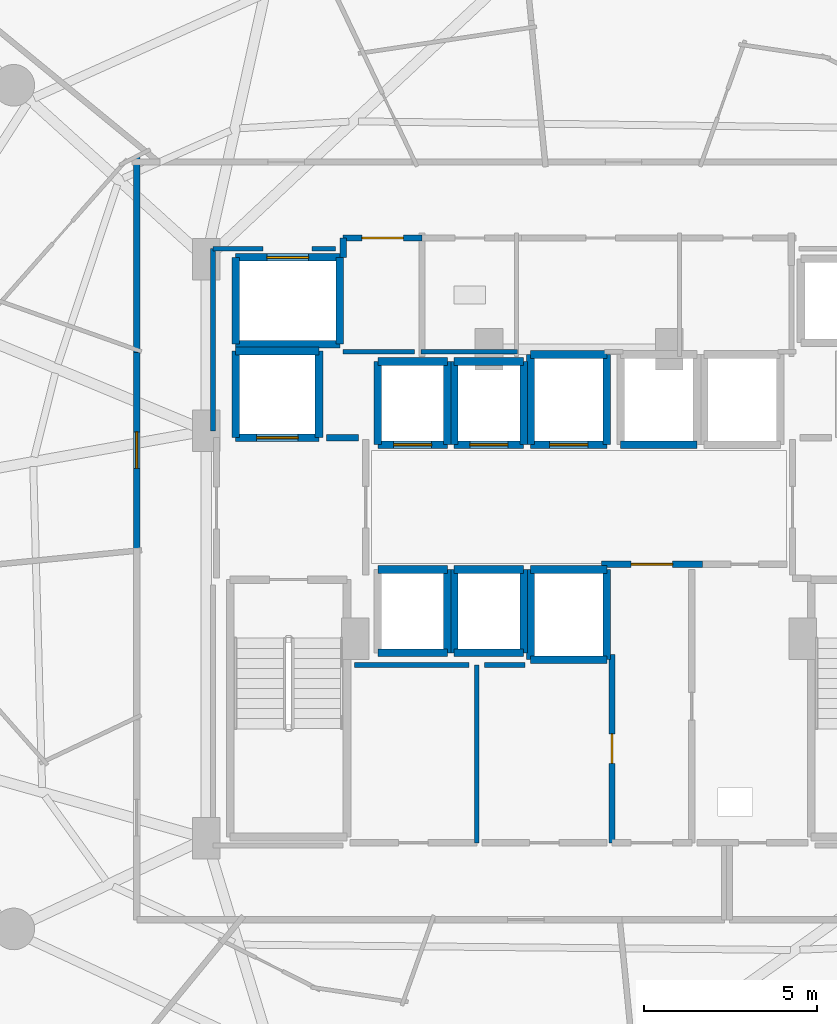
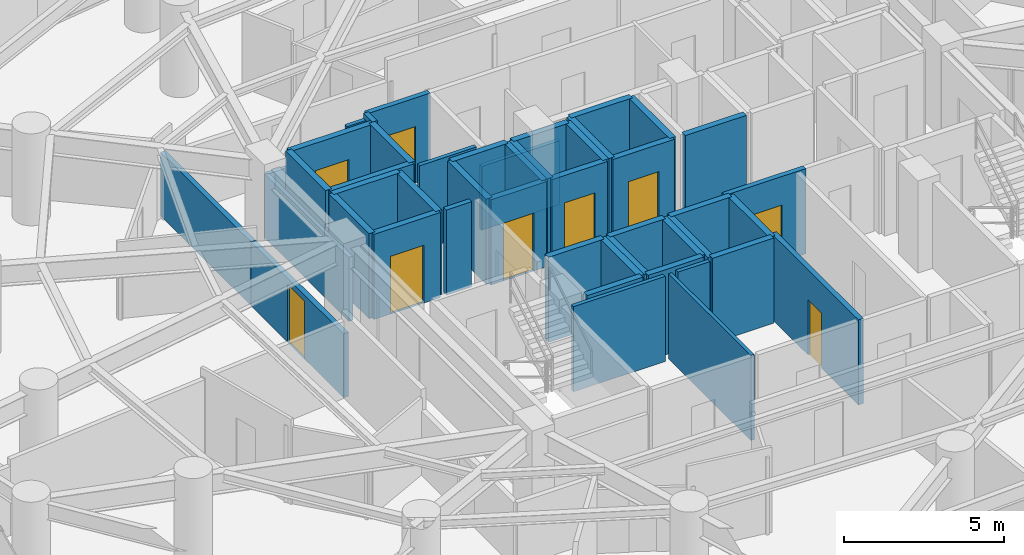
# One storey, part 27 of 33: 47 walls, 9 doors, 9 openings.
"""IFC4 building model written with IfcOpenShell, lengths in metres."""

from ifc_helpers import new_model, si_unit, direction, frame, frame_2d, origin, place, context, subcontext, project, spatial, rectangle, extrude, material, layer, layer_set, type_object, element, fill, save


model = new_model("IFC4")

# Units and contexts
model_context = context("Model", 3, precision=1e-05, world=origin(), true_north=direction((0.0, 1.0)))
body_context = subcontext(model_context, "Body", "Model", "MODEL_VIEW")
ifc_project = project(units=[si_unit("LENGTHUNIT", "METRE"), si_unit("AREAUNIT", "SQUARE_METRE"), si_unit("VOLUMEUNIT", "CUBIC_METRE"), si_unit("PLANEANGLEUNIT", "RADIAN"), si_unit("MASSUNIT", "GRAM", prefix="KILO")], contexts=[model_context])

# Site, building, storey
site_placement = place(None, origin())
site = spatial("IfcSite", under=ifc_project, at=site_placement, CompositionType="ELEMENT")
building_placement = place(site_placement, origin())
building = spatial("IfcBuilding", under=site, at=building_placement, Name="Vorneva Point Tower", CompositionType="ELEMENT")
storey_placement = place(building_placement, frame((0.0, 0.0, 59.0)))
storey = spatial("IfcBuildingStorey", under=building, at=storey_placement, Name="L15", CompositionType="ELEMENT", Elevation=59.0)

# Wall, opening, door
ifc_material_1 = material(Name="Concrete B60 (C50/60)", Category="concrete")
ifc_layer_1 = layer(ifc_material_1, 0.5)
ifc_layer_set_1 = layer_set([ifc_layer_1], Name="Concrete B60 (C50/60)")
wall_type_1 = type_object("IfcWallType", Name="WL-CORE-500", PredefinedType="SHEAR", material=ifc_layer_set_1)
wall_1_placement = place(storey_placement, frame((28.10009765625, 28.0, 0.0), z_axis=(0.0, 0.0, 1.0), x_axis=(1.0, 0.0, 0.0)))
wall_1 = element("IfcWall", 1, at=wall_1_placement, inside=storey, type_object=wall_type_1, Name="L15 Lift FFL1 Shaft Wall -Y", PredefinedType="SHEAR", context=body_context, shape_type="SweptSolid", body=[
    extrude(rectangle(XDim=2.39990234375, YDim=0.219970703125, at=frame_2d((1.199951171875, 0.0))), origin(), (0.0, 0.0, 1.0), 3.239990234375),
])
opening_1_placement = place(wall_1_placement, frame((0.60009765625, 0.0, 0.0)))
opening_1 = element("IfcOpeningElement", 2, at=opening_1_placement, cuts=wall_1, Name="Opening LD-02", PredefinedType="OPENING", context=body_context, shape_type="SweptSolid", body=[
    extrude(rectangle(XDim=1.199951171875, YDim=2.199951171875, at=frame_2d((0.60009765625, 1.10009765625))), frame((0.0, 0.125, 0.0), z_axis=(0.0, -1.0, 0.0), x_axis=(1.0, 0.0, 0.0)), (0.0, 0.0, 1.0), 0.249755859375),
])
ifc_material_2 = material(Name="Brushed stainless steel S304", Category="steel")
door_type_1 = type_object("IfcDoorType", Name="LD-FIRE-1200", OperationType="SLIDING_TO_LEFT", PredefinedType="DOOR", material=ifc_material_2)
door_1_placement = place(opening_1_placement, origin())
door_1 = element("IfcDoor", 3, at=door_1_placement, inside=storey, type_object=door_type_1, Name="L15 Lift FFL1 Sliding Landing Door", OperationType="SLIDING_TO_LEFT", OverallHeight=2.199951171875, OverallWidth=1.199951171875, PredefinedType="DOOR", context=body_context, shape_type="SweptSolid", body=[
    extrude(rectangle(XDim=1.199951171875, YDim=2.199951171875, at=frame_2d((0.60009765625, 1.10009765625))), frame((0.0, 0.02490234375, 0.0), z_axis=(0.0, -1.0, 0.0), x_axis=(1.0, 0.0, 0.0)), (0.0, 0.0, 1.0), 0.050048828125),
])
fill(opening_1, door_1)

# Walls
wall_2_placement = place(storey_placement, frame((30.5, 28.0, 0.0), z_axis=(0.0, 0.0, 1.0), x_axis=(0.0, 1.0, 0.0)))
element("IfcWall", 4, at=wall_2_placement, inside=storey, type_object=wall_type_1, Name="L15 Lift FFL1 Shaft Wall +X", PredefinedType="SHEAR", context=body_context, shape_type="SweptSolid", body=[
    extrude(rectangle(XDim=2.5, YDim=0.219970703125, at=frame_2d((1.25, 0.0))), origin(), (0.0, 0.0, 1.0), 3.239990234375),
])
wall_3_placement = place(storey_placement, frame((30.5, 30.5, 0.0), z_axis=(0.0, 0.0, 1.0), x_axis=(-1.0, 0.0, 0.0)))
element("IfcWall", 5, at=wall_3_placement, inside=storey, type_object=wall_type_1, Name="L15 Lift FFL1 Shaft Wall +Y", PredefinedType="SHEAR", context=body_context, shape_type="SweptSolid", body=[
    extrude(rectangle(XDim=2.39990234375, YDim=0.219970703125, at=frame_2d((1.199951171875, 0.0))), origin(), (0.0, 0.0, 1.0), 3.239990234375),
])
wall_4_placement = place(storey_placement, frame((28.10009765625, 30.5, 0.0), z_axis=(0.0, 0.0, 1.0), x_axis=(0.0, -1.0, 0.0)))
element("IfcWall", 6, at=wall_4_placement, inside=storey, type_object=wall_type_1, Name="L15 Lift FFL1 Shaft Wall -X", PredefinedType="SHEAR", context=body_context, shape_type="SweptSolid", body=[
    extrude(rectangle(XDim=2.5, YDim=0.219970703125, at=frame_2d((1.25, 0.0))), origin(), (0.0, 0.0, 1.0), 3.239990234375),
])
ifc_material_3 = material(Name="Fire-rated acoustic gypsum stud partition", Category="gypsum")
ifc_layer_2 = layer(ifc_material_3, 0.125)
ifc_layer_set_2 = layer_set([ifc_layer_2], Name="Fire-rated acoustic gypsum stud partition")
wall_type_2 = type_object("IfcWallType", Name="WL-PART-125", PredefinedType="PARTITIONING", material=ifc_layer_set_2)
wall_5_placement = place(storey_placement, frame((35.050048828125, 16.320068359375, 0.0), z_axis=(0.0, 0.0, 1.0), x_axis=(0.0, 1.0, 0.0)))
element("IfcWall", 7, at=wall_5_placement, inside=storey, type_object=wall_type_2, Name="L15 Interior Partition 021", PredefinedType="PARTITIONING", context=body_context, shape_type="SweptSolid", body=[
    extrude(rectangle(XDim=5.1298828125, YDim=0.125, at=frame_2d((2.56494140625, 0.0))), origin(), (0.0, 0.0, 1.0), 3.239990234375),
])
ifc_layer_3 = layer(ifc_material_3, 0.139892578125)
ifc_layer_set_3 = layer_set([ifc_layer_3], Name="Fire-rated acoustic gypsum stud partition")
wall_type_3 = type_object("IfcWallType", Name="WL-PART-140", PredefinedType="PARTITIONING", material=ifc_layer_set_3)
wall_6_placement = place(storey_placement, frame((31.199951171875, 30.47998046875, 0.0), z_axis=(0.0, 0.0, 1.0), x_axis=(1.0, 0.0, 0.0)))
element("IfcWall", 8, at=wall_6_placement, inside=storey, type_object=wall_type_3, Name="L15 Interior Closure Partition 097", PredefinedType="PARTITIONING", context=body_context, shape_type="SweptSolid", body=[
    extrude(rectangle(XDim=2.050048828125, YDim=0.139892578125, at=frame_2d((1.02490234375, 0.0))), origin(), (0.0, 0.0, 1.0), 3.239990234375),
])
wall_7_placement = place(storey_placement, frame((33.43994140625, 30.47998046875, 0.0), z_axis=(0.0, 0.0, 1.0), x_axis=(1.0, 0.0, 0.0)))
element("IfcWall", 9, at=wall_7_placement, inside=storey, type_object=wall_type_3, Name="L15 Interior Closure Partition 098", PredefinedType="PARTITIONING", context=body_context, shape_type="SweptSolid", body=[
    extrude(rectangle(XDim=2.7900390625, YDim=0.139892578125, at=frame_2d((1.39501953125, 0.0))), origin(), (0.0, 0.0, 1.0), 2.431884765625),
])
wall_8_placement = place(storey_placement, frame((34.830078125, 21.449951171875, 0.0), z_axis=(0.0, 0.0, 1.0), x_axis=(-1.0, 0.0, 0.0)))
element("IfcWall", 10, at=wall_8_placement, inside=storey, type_object=wall_type_3, Name="L15 Interior Closure Partition 102", PredefinedType="PARTITIONING", context=body_context, shape_type="SweptSolid", body=[
    extrude(rectangle(XDim=3.300048828125, YDim=0.139892578125, at=frame_2d((1.64990234375, 0.0))), origin(), (0.0, 0.0, 1.0), 3.239990234375),
])
wall_9_placement = place(storey_placement, frame((36.43896484375, 21.449951171875, 0.0), z_axis=(0.0, 0.0, 1.0), x_axis=(-1.0, 0.0, 0.0)))
element("IfcWall", 11, at=wall_9_placement, inside=storey, type_object=wall_type_3, Name="L15 Interior Closure Partition 103", PredefinedType="PARTITIONING", context=body_context, shape_type="SweptSolid", body=[
    extrude(rectangle(XDim=1.158935546875, YDim=0.139892578125, at=frame_2d((0.57958984375, 0.0))), origin(), (0.0, 0.0, 1.0), 3.239990234375),
])
wall_10_placement = place(storey_placement, frame((27.449951171875, 28.196044921875, 0.0), z_axis=(0.0, 0.0, 1.0), x_axis=(0.0, 1.0, 0.0)))
element("IfcWall", 12, at=wall_10_placement, inside=storey, type_object=wall_type_3, Name="L15 Interior Closure Partition 110", PredefinedType="PARTITIONING", context=body_context, shape_type="SweptSolid", body=[
    extrude(rectangle(XDim=5.25390625, YDim=0.139892578125, at=frame_2d((2.626953125, 0.0))), origin(), (0.0, 0.0, 1.0), 2.431884765625),
])
wall_11_placement = place(storey_placement, frame((27.449951171875, 33.449951171875, 0.0), z_axis=(0.0, 0.0, 1.0), x_axis=(1.0, 0.0, 0.0)))
element("IfcWall", 13, at=wall_11_placement, inside=storey, type_object=wall_type_3, Name="L15 Interior Closure Partition 111", PredefinedType="PARTITIONING", context=body_context, shape_type="SweptSolid", body=[
    extrude(rectangle(XDim=1.444091796875, YDim=0.139892578125, at=frame_2d((0.72216796875, 0.0))), origin(), (0.0, 0.0, 1.0), 2.431884765625),
])
wall_12_placement = place(storey_placement, frame((30.305908203125, 33.449951171875, 0.0), z_axis=(0.0, 0.0, 1.0), x_axis=(1.0, 0.0, 0.0)))
element("IfcWall", 14, at=wall_12_placement, inside=storey, type_object=wall_type_3, Name="L15 Interior Closure Partition 112", PredefinedType="PARTITIONING", context=body_context, shape_type="SweptSolid", body=[
    extrude(rectangle(XDim=0.674072265625, YDim=0.139892578125, at=frame_2d((0.3369140625, 0.0))), origin(), (0.0, 0.0, 1.0), 3.239990234375),
])

# Wall, opening, door
ifc_material_4 = material(Name="Autoclaved aerated concrete blockwork", Category="masonry")
ifc_layer_4 = layer(ifc_material_4, 0.179931640625)
ifc_layer_set_4 = layer_set([ifc_layer_4], Name="Autoclaved aerated concrete blockwork")
wall_type_4 = type_object("IfcWallType", Name="WL-PART-180", PredefinedType="PARTITIONING", material=ifc_layer_set_4)
wall_13_placement = place(storey_placement, frame((33.469970703125, 33.760009765625, 0.0), z_axis=(0.0, 0.0, 1.0), x_axis=(-1.0, 0.0, 0.0)))
wall_13 = element("IfcWall", 15, at=wall_13_placement, inside=storey, type_object=wall_type_4, Name="L15 Interior Partition 007", PredefinedType="PARTITIONING", context=body_context, shape_type="SweptSolid", body=[
    extrude(rectangle(XDim=2.27001953125, YDim=0.179931640625, at=frame_2d((1.135009765625, 0.0))), origin(), (0.0, 0.0, 1.0), 3.239990234375),
])
opening_2_placement = place(wall_13_placement, frame((0.534912109375, 0.0, 0.0)))
opening_2 = element("IfcOpeningElement", 16, at=opening_2_placement, cuts=wall_13, Name="Opening FD-02", PredefinedType="OPENING", context=body_context, shape_type="SweptSolid", body=[
    extrude(rectangle(XDim=1.199951171875, YDim=2.14990234375, at=frame_2d((0.60009765625, 1.074951171875))), frame((0.0, 0.10498046875, 0.0), z_axis=(0.0, -1.0, 0.0), x_axis=(1.0, 0.0, 0.0)), (0.0, 0.0, 1.0), 0.209716796875),
])
ifc_material_5 = material(Name="Fire-rated powder-coated steel", Category="steel")
door_type_2 = type_object("IfcDoorType", Name="DR-FFL-1200", OperationType="NOTDEFINED", PredefinedType="DOOR", material=ifc_material_5)
door_2_placement = place(opening_2_placement, origin())
door_2 = element("IfcDoor", 17, at=door_2_placement, inside=storey, type_object=door_type_2, Name="L15 Door Service Lift Lobby / L15 Circulation Corridor", OperationType="SINGLE_SWING_LEFT", OverallHeight=2.14990234375, OverallWidth=1.199951171875, PredefinedType="DOOR", context=body_context, shape_type="SweptSolid", body=[
    extrude(rectangle(XDim=1.199951171875, YDim=2.14990234375, at=frame_2d((0.60009765625, 1.074951171875))), frame((0.0, 0.02490234375, 0.0), z_axis=(0.0, -1.0, 0.0), x_axis=(1.0, 0.0, 0.0)), (0.0, 0.0, 1.0), 0.050048828125),
])
fill(opening_2, door_2)

# Wall
wall_14_placement = place(storey_placement, frame((31.199951171875, 33.760009765625, 0.0), z_axis=(0.0, 0.0, 1.0), x_axis=(0.0, -1.0, 0.0)))
element("IfcWall", 18, at=wall_14_placement, inside=storey, type_object=wall_type_4, Name="L15 Interior Partition 008", PredefinedType="PARTITIONING", context=body_context, shape_type="SweptSolid", body=[
    extrude(rectangle(XDim=0.56005859375, YDim=0.179931640625, at=frame_2d((0.280029296875, 0.0))), origin(), (0.0, 0.0, 1.0), 3.239990234375),
])

# Wall, opening, door
wall_15_placement = place(storey_placement, frame((38.64501953125, 24.35009765625, 0.0), z_axis=(0.0, 0.0, 1.0), x_axis=(1.0, 0.0, 0.0)))
wall_15 = element("IfcWall", 19, at=wall_15_placement, inside=storey, type_object=wall_type_4, Name="L15 Interior Partition 009", PredefinedType="PARTITIONING", context=body_context, shape_type="SweptSolid", body=[
    extrude(rectangle(XDim=2.909912109375, YDim=0.179931640625, at=frame_2d((1.455078125, 0.0))), origin(), (0.0, 0.0, 1.0), 3.239990234375),
])
opening_3_placement = place(wall_15_placement, frame((0.85498046875, 0.0, 0.0)))
opening_3 = element("IfcOpeningElement", 20, at=opening_3_placement, cuts=wall_15, Name="Opening FD-02", PredefinedType="OPENING", context=body_context, shape_type="SweptSolid", body=[
    extrude(rectangle(XDim=1.199951171875, YDim=2.14990234375, at=frame_2d((0.60009765625, 1.074951171875))), frame((0.0, 0.10498046875, 0.0), z_axis=(0.0, -1.0, 0.0), x_axis=(1.0, 0.0, 0.0)), (0.0, 0.0, 1.0), 0.209716796875),
])
door_3_placement = place(opening_3_placement, origin())
door_3 = element("IfcDoor", 21, at=door_3_placement, inside=storey, type_object=door_type_2, Name="L15 Door Central Lift Lobby / Core Service Lobby", OperationType="SINGLE_SWING_RIGHT", OverallHeight=2.14990234375, OverallWidth=1.199951171875, PredefinedType="DOOR", context=body_context, shape_type="SweptSolid", body=[
    extrude(rectangle(XDim=1.199951171875, YDim=2.14990234375, at=frame_2d((0.60009765625, 1.074951171875))), frame((0.0, 0.02490234375, 0.0), z_axis=(0.0, -1.0, 0.0), x_axis=(1.0, 0.0, 0.0)), (0.0, 0.0, 1.0), 0.050048828125),
])
fill(opening_3, door_3)

wall_16_placement = place(storey_placement, frame((38.949951171875, 21.7548828125, 0.0), z_axis=(0.0, 0.0, 1.0), x_axis=(0.0, -1.0, 0.0)))
wall_16 = element("IfcWall", 22, at=wall_16_placement, inside=storey, type_object=wall_type_4, Name="L15 Interior Partition 012", PredefinedType="PARTITIONING", context=body_context, shape_type="SweptSolid", body=[
    extrude(rectangle(XDim=5.434814453125, YDim=0.179931640625, at=frame_2d((2.71728515625, 0.0))), origin(), (0.0, 0.0, 1.0), 3.239990234375),
])
opening_4_placement = place(wall_16_placement, frame((2.29248046875, 0.0, 0.0)))
opening_4 = element("IfcOpeningElement", 23, at=opening_4_placement, cuts=wall_16, Name="Opening ID-02", PredefinedType="OPENING", context=body_context, shape_type="SweptSolid", body=[
    extrude(rectangle(XDim=0.85009765625, YDim=2.10009765625, at=frame_2d((0.425048828125, 1.050048828125))), frame((0.0, 0.10498046875, 0.0), z_axis=(0.0, -1.0, 0.0), x_axis=(1.0, 0.0, 0.0)), (0.0, 0.0, 1.0), 0.209716796875),
])
ifc_material_6 = material(Name="Engineered oak fire-rated door leaf", Category="wood")
door_type_3 = type_object("IfcDoorType", Name="DR-BATH-850", OperationType="NOTDEFINED", PredefinedType="DOOR", material=ifc_material_6)
door_4_placement = place(opening_4_placement, origin())
door_4 = element("IfcDoor", 24, at=door_4_placement, inside=storey, type_object=door_type_3, Name="L15 Door Core Service Lobby / Linen Store", OperationType="SINGLE_SWING_LEFT", OverallHeight=2.10009765625, OverallWidth=0.85009765625, PredefinedType="DOOR", context=body_context, shape_type="SweptSolid", body=[
    extrude(rectangle(XDim=0.85009765625, YDim=2.10009765625, at=frame_2d((0.425048828125, 1.050048828125))), frame((0.0, 0.02490234375, 0.0), z_axis=(0.0, -1.0, 0.0), x_axis=(1.0, 0.0, 0.0)), (0.0, 0.0, 1.0), 0.050048828125),
])
fill(opening_4, door_4)

wall_17_placement = place(storey_placement, frame((25.25, 30.597900390625, 0.0), z_axis=(0.0, 0.0, 1.0), x_axis=(0.0, -1.0, 0.0)))
wall_17 = element("IfcWall", 25, at=wall_17_placement, inside=storey, type_object=wall_type_4, Name="L15 Interior Partition 031", PredefinedType="PARTITIONING", context=body_context, shape_type="SweptSolid", body=[
    extrude(rectangle(XDim=5.913818359375, YDim=0.179931640625, at=frame_2d((2.95703125, 0.0))), origin(), (0.0, 0.0, 1.0), 2.431884765625),
])
opening_5_placement = place(wall_17_placement, frame((2.431884765625, 0.0, 0.0)))
opening_5 = element("IfcOpeningElement", 26, at=opening_5_placement, cuts=wall_17, Name="Opening UD-02", PredefinedType="OPENING", context=body_context, shape_type="SweptSolid", body=[
    extrude(rectangle(XDim=1.050048828125, YDim=2.199951171875, at=frame_2d((0.52490234375, 1.10009765625))), frame((0.0, 0.10498046875, 0.0), z_axis=(0.0, -1.0, 0.0), x_axis=(1.0, 0.0, 0.0)), (0.0, 0.0, 1.0), 0.209716796875),
])
door_type_4 = type_object("IfcDoorType", Name="DR-SUITE-1050", OperationType="NOTDEFINED", PredefinedType="DOOR", material=ifc_material_6)
door_5_placement = place(opening_5_placement, origin())
door_5 = element("IfcDoor", 27, at=door_5_placement, inside=storey, type_object=door_type_4, Name="L15 Door L15 Circulation Corridor / Junior Suite L15-04", OperationType="SINGLE_SWING_RIGHT", OverallHeight=2.199951171875, OverallWidth=1.050048828125, PredefinedType="DOOR", context=body_context, shape_type="SweptSolid", body=[
    extrude(rectangle(XDim=1.050048828125, YDim=2.199951171875, at=frame_2d((0.52490234375, 1.10009765625))), frame((0.0, 0.02490234375, 0.0), z_axis=(0.0, -1.0, 0.0), x_axis=(1.0, 0.0, 0.0)), (0.0, 0.0, 1.0), 0.050048828125),
])
fill(opening_5, door_5)

# Walls
wall_18_placement = place(storey_placement, frame((25.25, 36.090087890625, 0.0), z_axis=(0.0, 0.0, 1.0), x_axis=(0.0, -1.0, 0.0)))
element("IfcWall", 28, at=wall_18_placement, inside=storey, type_object=wall_type_4, Name="L15 Interior Partition 033", PredefinedType="PARTITIONING", context=body_context, shape_type="SweptSolid", body=[
    extrude(rectangle(XDim=5.632080078125, YDim=0.179931640625, at=frame_2d((2.81591796875, 0.0))), origin(), (0.0, 0.0, 1.0), 2.431884765625),
])
wall_19_placement = place(storey_placement, frame((31.635009765625, 28.0, 0.0), z_axis=(0.0, 0.0, 1.0), x_axis=(-1.0, 0.0, 0.0)))
element("IfcWall", 29, at=wall_19_placement, inside=storey, type_object=wall_type_4, Name="L15 Interior Closure Partition 095", PredefinedType="PARTITIONING", context=body_context, shape_type="SweptSolid", body=[
    extrude(rectangle(XDim=0.9150390625, YDim=0.179931640625, at=frame_2d((0.45751953125, 0.0))), origin(), (0.0, 0.0, 1.0), 3.239990234375),
])

# Wall, opening, door
ifc_material_7 = material(Name="Concrete B50 (C40/50)", Category="concrete")
ifc_layer_5 = layer(ifc_material_7, 0.219970703125)
ifc_layer_set_5 = layer_set([ifc_layer_5], Name="Concrete B50 (C40/50)")
wall_type_5 = type_object("IfcWallType", Name="WL-SHFT-220", PredefinedType="SOLIDWALL", material=ifc_layer_set_5)
wall_20_placement = place(storey_placement, frame((32.199951171875, 27.800048828125, 0.0), z_axis=(0.0, 0.0, 1.0), x_axis=(1.0, 0.0, 0.0)))
wall_20 = element("IfcWall", 30, at=wall_20_placement, inside=storey, type_object=wall_type_5, Name="L15 Lift PL1 Shaft Wall -Y", PredefinedType="SOLIDWALL", context=body_context, shape_type="SweptSolid", body=[
    extrude(rectangle(XDim=2.0, YDim=0.219970703125, at=frame_2d((1.0, 0.0))), origin(), (0.0, 0.0, 1.0), 3.239990234375),
])
opening_6_placement = place(wall_20_placement, frame((0.449951171875, 0.0, 0.0)))
opening_6 = element("IfcOpeningElement", 31, at=opening_6_placement, cuts=wall_20, Name="Opening LD-01", PredefinedType="OPENING", context=body_context, shape_type="SweptSolid", body=[
    extrude(rectangle(XDim=1.10009765625, YDim=2.199951171875, at=frame_2d((0.550048828125, 1.10009765625))), frame((0.0, 0.125, 0.0), z_axis=(0.0, -1.0, 0.0), x_axis=(1.0, 0.0, 0.0)), (0.0, 0.0, 1.0), 0.249755859375),
])
door_type_5 = type_object("IfcDoorType", Name="LD-PASS-1100", OperationType="SLIDING_TO_LEFT", PredefinedType="DOOR", material=ifc_material_2)
door_6_placement = place(opening_6_placement, origin())
door_6 = element("IfcDoor", 32, at=door_6_placement, inside=storey, type_object=door_type_5, Name="L15 Lift PL1 Sliding Landing Door", OperationType="SLIDING_TO_LEFT", OverallHeight=2.199951171875, OverallWidth=1.10009765625, PredefinedType="DOOR", context=body_context, shape_type="SweptSolid", body=[
    extrude(rectangle(XDim=1.10009765625, YDim=2.199951171875, at=frame_2d((0.550048828125, 1.10009765625))), frame((0.0, 0.02490234375, 0.0), z_axis=(0.0, -1.0, 0.0), x_axis=(1.0, 0.0, 0.0)), (0.0, 0.0, 1.0), 0.050048828125),
])
fill(opening_6, door_6)

# Walls
wall_21_placement = place(storey_placement, frame((34.199951171875, 27.800048828125, 0.0), z_axis=(0.0, 0.0, 1.0), x_axis=(0.0, 1.0, 0.0)))
element("IfcWall", 33, at=wall_21_placement, inside=storey, type_object=wall_type_5, Name="L15 Lift PL1 Shaft Wall +X", PredefinedType="SOLIDWALL", context=body_context, shape_type="SweptSolid", body=[
    extrude(rectangle(XDim=2.39990234375, YDim=0.219970703125, at=frame_2d((1.199951171875, 0.0))), origin(), (0.0, 0.0, 1.0), 3.239990234375),
])
wall_22_placement = place(storey_placement, frame((34.199951171875, 30.199951171875, 0.0), z_axis=(0.0, 0.0, 1.0), x_axis=(-1.0, 0.0, 0.0)))
element("IfcWall", 34, at=wall_22_placement, inside=storey, type_object=wall_type_5, Name="L15 Lift PL1 Shaft Wall +Y", PredefinedType="SOLIDWALL", context=body_context, shape_type="SweptSolid", body=[
    extrude(rectangle(XDim=2.0, YDim=0.219970703125, at=frame_2d((1.0, 0.0))), origin(), (0.0, 0.0, 1.0), 3.239990234375),
])
wall_23_placement = place(storey_placement, frame((32.199951171875, 30.199951171875, 0.0), z_axis=(0.0, 0.0, 1.0), x_axis=(0.0, -1.0, 0.0)))
element("IfcWall", 35, at=wall_23_placement, inside=storey, type_object=wall_type_5, Name="L15 Lift PL1 Shaft Wall -X", PredefinedType="SOLIDWALL", context=body_context, shape_type="SweptSolid", body=[
    extrude(rectangle(XDim=2.39990234375, YDim=0.219970703125, at=frame_2d((1.199951171875, 0.0))), origin(), (0.0, 0.0, 1.0), 3.239990234375),
])

# Wall, opening, door
wall_24_placement = place(storey_placement, frame((34.39990234375, 27.800048828125, 0.0), z_axis=(0.0, 0.0, 1.0), x_axis=(1.0, 0.0, 0.0)))
wall_24 = element("IfcWall", 36, at=wall_24_placement, inside=storey, type_object=wall_type_5, Name="L15 Lift PL2 Shaft Wall -Y", PredefinedType="SOLIDWALL", context=body_context, shape_type="SweptSolid", body=[
    extrude(rectangle(XDim=2.0, YDim=0.219970703125, at=frame_2d((1.0, 0.0))), origin(), (0.0, 0.0, 1.0), 3.239990234375),
])
opening_7_placement = place(wall_24_placement, frame((0.449951171875, 0.0, 0.0)))
opening_7 = element("IfcOpeningElement", 37, at=opening_7_placement, cuts=wall_24, Name="Opening LD-01", PredefinedType="OPENING", context=body_context, shape_type="SweptSolid", body=[
    extrude(rectangle(XDim=1.10009765625, YDim=2.199951171875, at=frame_2d((0.550048828125, 1.10009765625))), frame((0.0, 0.125, 0.0), z_axis=(0.0, -1.0, 0.0), x_axis=(1.0, 0.0, 0.0)), (0.0, 0.0, 1.0), 0.249755859375),
])
door_7_placement = place(opening_7_placement, origin())
door_7 = element("IfcDoor", 38, at=door_7_placement, inside=storey, type_object=door_type_5, Name="L15 Lift PL2 Sliding Landing Door", OperationType="SLIDING_TO_LEFT", OverallHeight=2.199951171875, OverallWidth=1.10009765625, PredefinedType="DOOR", context=body_context, shape_type="SweptSolid", body=[
    extrude(rectangle(XDim=1.10009765625, YDim=2.199951171875, at=frame_2d((0.550048828125, 1.10009765625))), frame((0.0, 0.02490234375, 0.0), z_axis=(0.0, -1.0, 0.0), x_axis=(1.0, 0.0, 0.0)), (0.0, 0.0, 1.0), 0.050048828125),
])
fill(opening_7, door_7)

# Walls
wall_25_placement = place(storey_placement, frame((36.39990234375, 27.800048828125, 0.0), z_axis=(0.0, 0.0, 1.0), x_axis=(0.0, 1.0, 0.0)))
element("IfcWall", 39, at=wall_25_placement, inside=storey, type_object=wall_type_5, Name="L15 Lift PL2 Shaft Wall +X", PredefinedType="SOLIDWALL", context=body_context, shape_type="SweptSolid", body=[
    extrude(rectangle(XDim=2.39990234375, YDim=0.219970703125, at=frame_2d((1.199951171875, 0.0))), origin(), (0.0, 0.0, 1.0), 3.239990234375),
])
wall_26_placement = place(storey_placement, frame((36.39990234375, 30.199951171875, 0.0), z_axis=(0.0, 0.0, 1.0), x_axis=(-1.0, 0.0, 0.0)))
element("IfcWall", 40, at=wall_26_placement, inside=storey, type_object=wall_type_5, Name="L15 Lift PL2 Shaft Wall +Y", PredefinedType="SOLIDWALL", context=body_context, shape_type="SweptSolid", body=[
    extrude(rectangle(XDim=2.0, YDim=0.219970703125, at=frame_2d((1.0, 0.0))), origin(), (0.0, 0.0, 1.0), 3.239990234375),
])
wall_27_placement = place(storey_placement, frame((34.39990234375, 30.199951171875, 0.0), z_axis=(0.0, 0.0, 1.0), x_axis=(0.0, -1.0, 0.0)))
element("IfcWall", 41, at=wall_27_placement, inside=storey, type_object=wall_type_5, Name="L15 Lift PL2 Shaft Wall -X", PredefinedType="SOLIDWALL", context=body_context, shape_type="SweptSolid", body=[
    extrude(rectangle(XDim=2.39990234375, YDim=0.219970703125, at=frame_2d((1.199951171875, 0.0))), origin(), (0.0, 0.0, 1.0), 3.239990234375),
])

# Wall, opening, door
wall_28_placement = place(storey_placement, frame((36.60009765625, 27.800048828125, 0.0), z_axis=(0.0, 0.0, 1.0), x_axis=(1.0, 0.0, 0.0)))
wall_28 = element("IfcWall", 42, at=wall_28_placement, inside=storey, type_object=wall_type_5, Name="L15 Lift PL3 Shaft Wall -Y", PredefinedType="SOLIDWALL", context=body_context, shape_type="SweptSolid", body=[
    extrude(rectangle(XDim=2.199951171875, YDim=0.219970703125, at=frame_2d((1.10009765625, 0.0))), origin(), (0.0, 0.0, 1.0), 3.239990234375),
])
opening_8_placement = place(wall_28_placement, frame((0.550048828125, 0.0, 0.0)))
opening_8 = element("IfcOpeningElement", 43, at=opening_8_placement, cuts=wall_28, Name="Opening LD-01", PredefinedType="OPENING", context=body_context, shape_type="SweptSolid", body=[
    extrude(rectangle(XDim=1.10009765625, YDim=2.199951171875, at=frame_2d((0.550048828125, 1.10009765625))), frame((0.0, 0.125, 0.0), z_axis=(0.0, -1.0, 0.0), x_axis=(1.0, 0.0, 0.0)), (0.0, 0.0, 1.0), 0.249755859375),
])
door_8_placement = place(opening_8_placement, origin())
door_8 = element("IfcDoor", 44, at=door_8_placement, inside=storey, type_object=door_type_5, Name="L15 Lift PL3 Sliding Landing Door", OperationType="SLIDING_TO_LEFT", OverallHeight=2.199951171875, OverallWidth=1.10009765625, PredefinedType="DOOR", context=body_context, shape_type="SweptSolid", body=[
    extrude(rectangle(XDim=1.10009765625, YDim=2.199951171875, at=frame_2d((0.550048828125, 1.10009765625))), frame((0.0, 0.02490234375, 0.0), z_axis=(0.0, -1.0, 0.0), x_axis=(1.0, 0.0, 0.0)), (0.0, 0.0, 1.0), 0.050048828125),
])
fill(opening_8, door_8)

# Walls
wall_29_placement = place(storey_placement, frame((38.800048828125, 27.800048828125, 0.0), z_axis=(0.0, 0.0, 1.0), x_axis=(0.0, 1.0, 0.0)))
element("IfcWall", 45, at=wall_29_placement, inside=storey, type_object=wall_type_5, Name="L15 Lift PL3 Shaft Wall +X", PredefinedType="SOLIDWALL", context=body_context, shape_type="SweptSolid", body=[
    extrude(rectangle(XDim=2.599853515625, YDim=0.219970703125, at=frame_2d((1.2998046875, 0.0))), origin(), (0.0, 0.0, 1.0), 3.239990234375),
])
wall_30_placement = place(storey_placement, frame((38.800048828125, 30.39990234375, 0.0), z_axis=(0.0, 0.0, 1.0), x_axis=(-1.0, 0.0, 0.0)))
element("IfcWall", 46, at=wall_30_placement, inside=storey, type_object=wall_type_5, Name="L15 Lift PL3 Shaft Wall +Y", PredefinedType="SOLIDWALL", context=body_context, shape_type="SweptSolid", body=[
    extrude(rectangle(XDim=2.199951171875, YDim=0.219970703125, at=frame_2d((1.10009765625, 0.0))), origin(), (0.0, 0.0, 1.0), 3.239990234375),
])
wall_31_placement = place(storey_placement, frame((36.60009765625, 30.39990234375, 0.0), z_axis=(0.0, 0.0, 1.0), x_axis=(0.0, -1.0, 0.0)))
element("IfcWall", 47, at=wall_31_placement, inside=storey, type_object=wall_type_5, Name="L15 Lift PL3 Shaft Wall -X", PredefinedType="SOLIDWALL", context=body_context, shape_type="SweptSolid", body=[
    extrude(rectangle(XDim=2.599853515625, YDim=0.219970703125, at=frame_2d((1.2998046875, 0.0))), origin(), (0.0, 0.0, 1.0), 3.239990234375),
])
wall_32_placement = place(storey_placement, frame((32.199951171875, 21.800048828125, 0.0), z_axis=(0.0, 0.0, 1.0), x_axis=(1.0, 0.0, 0.0)))
element("IfcWall", 48, at=wall_32_placement, inside=storey, type_object=wall_type_5, Name="L15 Lift PL4 Shaft Wall -Y", PredefinedType="SOLIDWALL", context=body_context, shape_type="SweptSolid", body=[
    extrude(rectangle(XDim=2.0, YDim=0.219970703125, at=frame_2d((1.0, 0.0))), origin(), (0.0, 0.0, 1.0), 3.239990234375),
])
wall_33_placement = place(storey_placement, frame((34.199951171875, 21.800048828125, 0.0), z_axis=(0.0, 0.0, 1.0), x_axis=(0.0, 1.0, 0.0)))
element("IfcWall", 49, at=wall_33_placement, inside=storey, type_object=wall_type_5, Name="L15 Lift PL4 Shaft Wall +X", PredefinedType="SOLIDWALL", context=body_context, shape_type="SweptSolid", body=[
    extrude(rectangle(XDim=2.39990234375, YDim=0.219970703125, at=frame_2d((1.199951171875, 0.0))), origin(), (0.0, 0.0, 1.0), 3.239990234375),
])
for number, where, z_axis, x_axis, name in (
    (50, (34.199951171875, 24.199951171875, 0.0), (0.0, 0.0, 1.0), (-1.0, 0.0, 0.0), "L15 Lift PL4 Shaft Wall +Y"),
    (51, (34.39990234375, 21.800048828125, 0.0), (0.0, 0.0, 1.0), (1.0, 0.0, 0.0), "L15 Lift PL5 Shaft Wall -Y"),
):
    element("IfcWall", number, at=place(storey_placement, frame(where, z_axis=z_axis, x_axis=x_axis)), inside=storey, type_object=wall_type_5, Name=name, PredefinedType="SOLIDWALL", context=body_context, shape_type="SweptSolid", body=[
        extrude(rectangle(XDim=2.0, YDim=0.219970703125, at=frame_2d((1.0, 0.0))), origin(), (0.0, 0.0, 1.0), 3.239990234375),
    ])
wall_34_placement = place(storey_placement, frame((36.39990234375, 21.800048828125, 0.0), z_axis=(0.0, 0.0, 1.0), x_axis=(0.0, 1.0, 0.0)))
element("IfcWall", 52, at=wall_34_placement, inside=storey, type_object=wall_type_5, Name="L15 Lift PL5 Shaft Wall +X", PredefinedType="SOLIDWALL", context=body_context, shape_type="SweptSolid", body=[
    extrude(rectangle(XDim=2.39990234375, YDim=0.219970703125, at=frame_2d((1.199951171875, 0.0))), origin(), (0.0, 0.0, 1.0), 3.239990234375),
])
wall_35_placement = place(storey_placement, frame((36.39990234375, 24.199951171875, 0.0), z_axis=(0.0, 0.0, 1.0), x_axis=(-1.0, 0.0, 0.0)))
element("IfcWall", 53, at=wall_35_placement, inside=storey, type_object=wall_type_5, Name="L15 Lift PL5 Shaft Wall +Y", PredefinedType="SOLIDWALL", context=body_context, shape_type="SweptSolid", body=[
    extrude(rectangle(XDim=2.0, YDim=0.219970703125, at=frame_2d((1.0, 0.0))), origin(), (0.0, 0.0, 1.0), 3.239990234375),
])
wall_36_placement = place(storey_placement, frame((34.39990234375, 24.199951171875, 0.0), z_axis=(0.0, 0.0, 1.0), x_axis=(0.0, -1.0, 0.0)))
element("IfcWall", 54, at=wall_36_placement, inside=storey, type_object=wall_type_5, Name="L15 Lift PL5 Shaft Wall -X", PredefinedType="SOLIDWALL", context=body_context, shape_type="SweptSolid", body=[
    extrude(rectangle(XDim=2.39990234375, YDim=0.219970703125, at=frame_2d((1.199951171875, 0.0))), origin(), (0.0, 0.0, 1.0), 3.239990234375),
])
wall_37_placement = place(storey_placement, frame((36.60009765625, 21.60009765625, 0.0), z_axis=(0.0, 0.0, 1.0), x_axis=(1.0, 0.0, 0.0)))
element("IfcWall", 55, at=wall_37_placement, inside=storey, type_object=wall_type_5, Name="L15 Lift PL6 Shaft Wall -Y", PredefinedType="SOLIDWALL", context=body_context, shape_type="SweptSolid", body=[
    extrude(rectangle(XDim=2.199951171875, YDim=0.219970703125, at=frame_2d((1.10009765625, 0.0))), origin(), (0.0, 0.0, 1.0), 3.239990234375),
])
wall_38_placement = place(storey_placement, frame((38.800048828125, 21.60009765625, 0.0), z_axis=(0.0, 0.0, 1.0), x_axis=(0.0, 1.0, 0.0)))
element("IfcWall", 56, at=wall_38_placement, inside=storey, type_object=wall_type_5, Name="L15 Lift PL6 Shaft Wall +X", PredefinedType="SOLIDWALL", context=body_context, shape_type="SweptSolid", body=[
    extrude(rectangle(XDim=2.599853515625, YDim=0.219970703125, at=frame_2d((1.2998046875, 0.0))), origin(), (0.0, 0.0, 1.0), 3.239990234375),
])
wall_39_placement = place(storey_placement, frame((38.800048828125, 24.199951171875, 0.0), z_axis=(0.0, 0.0, 1.0), x_axis=(-1.0, 0.0, 0.0)))
element("IfcWall", 57, at=wall_39_placement, inside=storey, type_object=wall_type_5, Name="L15 Lift PL6 Shaft Wall +Y", PredefinedType="SOLIDWALL", context=body_context, shape_type="SweptSolid", body=[
    extrude(rectangle(XDim=2.199951171875, YDim=0.219970703125, at=frame_2d((1.10009765625, 0.0))), origin(), (0.0, 0.0, 1.0), 3.239990234375),
])
wall_40_placement = place(storey_placement, frame((36.60009765625, 24.199951171875, 0.0), z_axis=(0.0, 0.0, 1.0), x_axis=(0.0, -1.0, 0.0)))
element("IfcWall", 58, at=wall_40_placement, inside=storey, type_object=wall_type_5, Name="L15 Lift PL6 Shaft Wall -X", PredefinedType="SOLIDWALL", context=body_context, shape_type="SweptSolid", body=[
    extrude(rectangle(XDim=2.599853515625, YDim=0.219970703125, at=frame_2d((1.2998046875, 0.0))), origin(), (0.0, 0.0, 1.0), 3.239990234375),
])
wall_41_placement = place(storey_placement, frame((39.199951171875, 27.800048828125, 0.0), z_axis=(0.0, 0.0, 1.0), x_axis=(1.0, 0.0, 0.0)))
element("IfcWall", 59, at=wall_41_placement, inside=storey, type_object=wall_type_5, Name="L15 Lift PL7 Shaft Wall -Y", PredefinedType="SOLIDWALL", context=body_context, shape_type="SweptSolid", body=[
    extrude(rectangle(XDim=2.199951171875, YDim=0.219970703125, at=frame_2d((1.10009765625, 0.0))), origin(), (0.0, 0.0, 1.0), 3.239990234375),
])
wall_42_placement = place(storey_placement, frame((28.10009765625, 30.699951171875, 0.0), z_axis=(0.0, 0.0, 1.0), x_axis=(1.0, 0.0, 0.0)))
element("IfcWall", 60, at=wall_42_placement, inside=storey, type_object=wall_type_5, Name="L15 Lift SVL1 Shaft Wall -Y", PredefinedType="SOLIDWALL", context=body_context, shape_type="SweptSolid", body=[
    extrude(rectangle(XDim=3.0, YDim=0.219970703125, at=frame_2d((1.5, 0.0))), origin(), (0.0, 0.0, 1.0), 3.239990234375),
])
wall_43_placement = place(storey_placement, frame((31.10009765625, 30.699951171875, 0.0), z_axis=(0.0, 0.0, 1.0), x_axis=(0.0, 1.0, 0.0)))
element("IfcWall", 61, at=wall_43_placement, inside=storey, type_object=wall_type_5, Name="L15 Lift SVL1 Shaft Wall +X", PredefinedType="SOLIDWALL", context=body_context, shape_type="SweptSolid", body=[
    extrude(rectangle(XDim=2.5, YDim=0.219970703125, at=frame_2d((1.25, 0.0))), origin(), (0.0, 0.0, 1.0), 3.239990234375),
])

# Wall, opening, door
wall_44_placement = place(storey_placement, frame((31.10009765625, 33.199951171875, 0.0), z_axis=(0.0, 0.0, 1.0), x_axis=(-1.0, 0.0, 0.0)))
wall_44 = element("IfcWall", 62, at=wall_44_placement, inside=storey, type_object=wall_type_5, Name="L15 Lift SVL1 Shaft Wall +Y", PredefinedType="SOLIDWALL", context=body_context, shape_type="SweptSolid", body=[
    extrude(rectangle(XDim=3.0, YDim=0.219970703125, at=frame_2d((1.5, 0.0))), origin(), (0.0, 0.0, 1.0), 3.239990234375),
])
opening_9_placement = place(wall_44_placement, frame((0.89990234375, 0.0, 0.0)))
opening_9 = element("IfcOpeningElement", 63, at=opening_9_placement, cuts=wall_44, Name="Opening LD-02", PredefinedType="OPENING", context=body_context, shape_type="SweptSolid", body=[
    extrude(rectangle(XDim=1.199951171875, YDim=2.199951171875, at=frame_2d((0.60009765625, 1.10009765625))), frame((0.0, 0.125, 0.0), z_axis=(0.0, -1.0, 0.0), x_axis=(1.0, 0.0, 0.0)), (0.0, 0.0, 1.0), 0.249755859375),
])
door_9_placement = place(opening_9_placement, origin())
door_9 = element("IfcDoor", 64, at=door_9_placement, inside=storey, type_object=door_type_1, Name="L15 Lift SVL1 Sliding Landing Door", OperationType="SLIDING_TO_LEFT", OverallHeight=2.199951171875, OverallWidth=1.199951171875, PredefinedType="DOOR", context=body_context, shape_type="SweptSolid", body=[
    extrude(rectangle(XDim=1.199951171875, YDim=2.199951171875, at=frame_2d((0.60009765625, 1.10009765625))), frame((0.0, 0.02490234375, 0.0), z_axis=(0.0, -1.0, 0.0), x_axis=(1.0, 0.0, 0.0)), (0.0, 0.0, 1.0), 0.050048828125),
])
fill(opening_9, door_9)

# Wall
wall_45_placement = place(storey_placement, frame((28.10009765625, 33.199951171875, 0.0), z_axis=(0.0, 0.0, 1.0), x_axis=(0.0, -1.0, 0.0)))
element("IfcWall", 65, at=wall_45_placement, inside=storey, type_object=wall_type_5, Name="L15 Lift SVL1 Shaft Wall -X", PredefinedType="SOLIDWALL", context=body_context, shape_type="SweptSolid", body=[
    extrude(rectangle(XDim=2.5, YDim=0.219970703125, at=frame_2d((1.25, 0.0))), origin(), (0.0, 0.0, 1.0), 3.239990234375),
])

save(model, "model.ifc")
